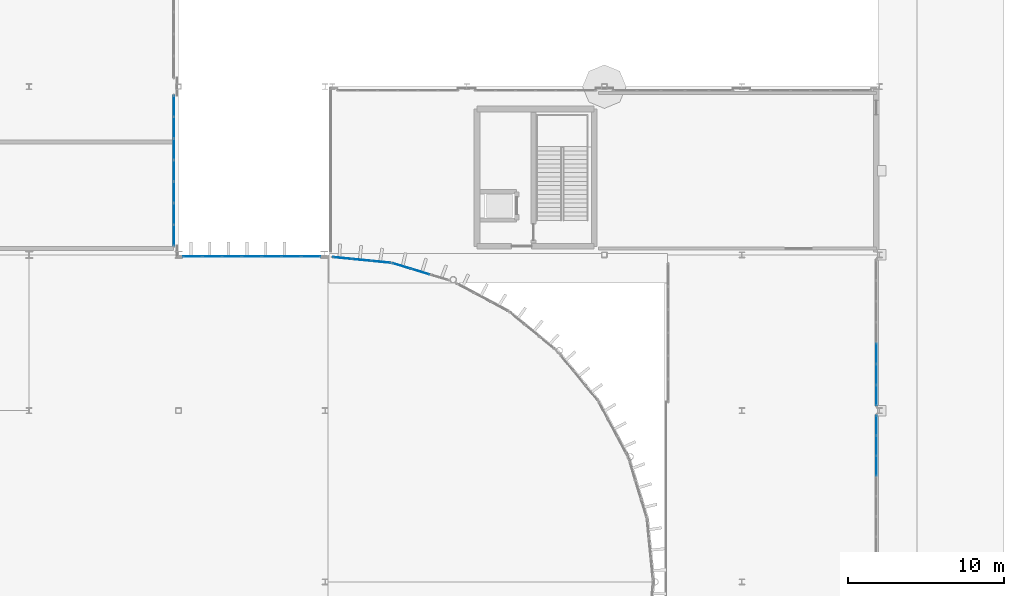
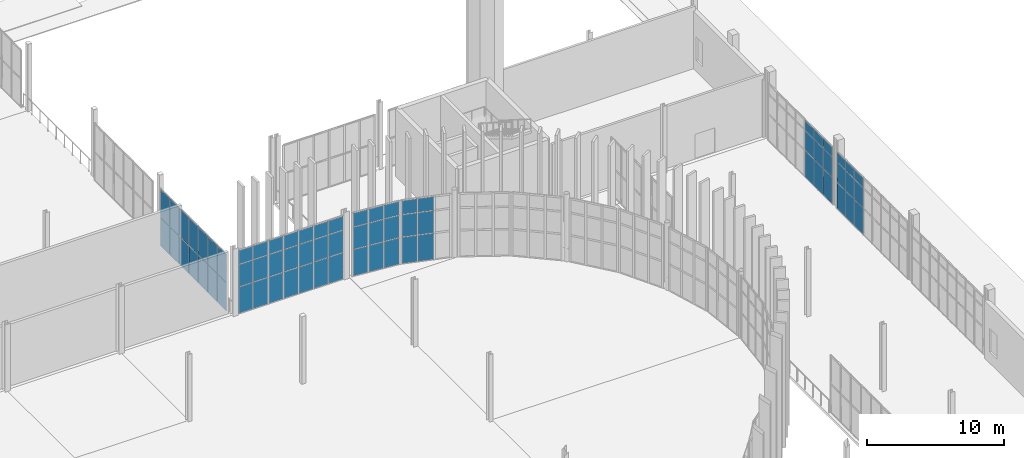
# One storey, part 85 of 139: 68 plates, 6 elements without a shape of their own.
"""IFC4 building model written with IfcOpenShell, lengths in metres."""

from ifc_helpers import new_model, si_unit, direction, frame, origin, origin_2d, place, context, subcontext, project, spatial, rectangle, extrude, material, layer, layer_set, type_object, element, aggregate, save


model = new_model("IFC4")

# Units and contexts
model_context = context("Model", 3, precision=1e-05, world=origin(), true_north=direction((0.0, 1.0)))
body_context = subcontext(model_context, "Body", "Model", "MODEL_VIEW")
ifc_project = project(units=[si_unit("LENGTHUNIT", "METRE"), si_unit("AREAUNIT", "SQUARE_METRE"), si_unit("VOLUMEUNIT", "CUBIC_METRE"), si_unit("PLANEANGLEUNIT", "RADIAN"), si_unit("MASSUNIT", "GRAM", prefix="KILO")], contexts=[model_context])

# Site, building, storey
site_placement = place(None, origin())
site = spatial("IfcSite", under=ifc_project, at=site_placement, CompositionType="ELEMENT")
building_placement = place(site_placement, origin())
building = spatial("IfcBuilding", under=site, at=building_placement, Name="Yeouljin Market Hall", CompositionType="ELEMENT")
storey_placement = place(building_placement, origin())
storey = spatial("IfcBuildingStorey", under=building, at=storey_placement, Name="L00", CompositionType="ELEMENT", Elevation=0.0)

# Curtain wall, plates
ifc_material_1 = material(Name="Thermally Broken Aluminium", Category="aluminium")
ifc_layer_1 = layer(ifc_material_1, 0.179931640625)
ifc_layer_set_1 = layer_set([ifc_layer_1], Name="Thermally Broken Aluminium")
curtain_wall_type_1 = type_object("IfcCurtainWallType", Name="CW_ApseCurved_System", PredefinedType="USERDEFINED", material=ifc_layer_set_1)
curtain_wall_1_placement = place(storey_placement, origin())
curtain_wall_1 = element("IfcCurtainWall", 1, at=curtain_wall_1_placement, inside=storey, type_object=curtain_wall_type_1, Name="Curtain wall CW-AP-EL00-15", ObjectType="CURTAIN WALL", PredefinedType="USERDEFINED")
ifc_material_2 = material(Name="Low-E Insulated Glass", Category="glass")
ifc_layer_2 = layer(ifc_material_2, 0.031982421875)
ifc_layer_set_2 = layer_set([ifc_layer_2], Name="Low-E Insulated Glass")
plate_type_1 = type_object("IfcPlateType", Name="CWPanel_AcousticGlass_32", PredefinedType="CURTAIN_PANEL", material=ifc_layer_set_2)
plate_1_placement = place(storey_placement, frame((145.72509765625, 77.28125, 0.0478515625), z_axis=(0.0, 0.0, 1.0), x_axis=(0.95693988447, -0.290286164863, 0.0)))
plate_1 = element("IfcPlate", 2, at=plate_1_placement, type_object=plate_type_1, Name="CW-03 panel 1.1", PredefinedType="CURTAIN_PANEL", context=body_context, shape_type="SweptSolid", body=[
    extrude(rectangle(XDim=1.185791015625, YDim=0.031982421875, at=origin_2d()), origin(), (0.0, 0.0, 1.0), 2.327880859375),
])
plate_2_placement = place(storey_placement, frame((145.72509765625, 77.28125, 2.423828125), z_axis=(0.0, 0.0, 1.0), x_axis=(0.95693988447, -0.290286164863, 0.0)))
plate_2 = element("IfcPlate", 3, at=plate_2_placement, type_object=plate_type_1, Name="CW-03 panel 1.2", PredefinedType="CURTAIN_PANEL", context=body_context, shape_type="SweptSolid", body=[
    extrude(rectangle(XDim=1.185791015625, YDim=0.031982421875, at=origin_2d()), origin(), (0.0, 0.0, 1.0), 1.951904296875),
])
plate_3_placement = place(storey_placement, frame((145.72509765625, 77.28125, 4.424072265625), z_axis=(0.0, 0.0, 1.0), x_axis=(0.95693988447, -0.290286164863, 0.0)))
plate_3 = element("IfcPlate", 4, at=plate_3_placement, type_object=plate_type_1, Name="CW-03 panel 1.3", PredefinedType="CURTAIN_PANEL", context=body_context, shape_type="SweptSolid", body=[
    extrude(rectangle(XDim=1.185791015625, YDim=0.031982421875, at=origin_2d()), origin(), (0.0, 0.0, 1.0), 1.2080078125),
])
plate_4_placement = place(storey_placement, frame((146.917236328125, 76.91943359375, 0.0478515625), z_axis=(0.0, 0.0, 1.0), x_axis=(0.95693988447, -0.290286164863, 0.0)))
plate_4 = element("IfcPlate", 5, at=plate_4_placement, type_object=plate_type_1, Name="CW-03 panel 2.1", PredefinedType="CURTAIN_PANEL", context=body_context, shape_type="SweptSolid", body=[
    extrude(rectangle(XDim=1.209716796875, YDim=0.031982421875, at=origin_2d()), origin(), (0.0, 0.0, 1.0), 2.327880859375),
])
plate_5_placement = place(storey_placement, frame((146.917236328125, 76.91943359375, 2.423828125), z_axis=(0.0, 0.0, 1.0), x_axis=(0.95693988447, -0.290286164863, 0.0)))
plate_5 = element("IfcPlate", 6, at=plate_5_placement, type_object=plate_type_1, Name="CW-03 panel 2.2", PredefinedType="CURTAIN_PANEL", context=body_context, shape_type="SweptSolid", body=[
    extrude(rectangle(XDim=1.209716796875, YDim=0.031982421875, at=origin_2d()), origin(), (0.0, 0.0, 1.0), 1.951904296875),
])
plate_6_placement = place(storey_placement, frame((146.917236328125, 76.91943359375, 4.424072265625), z_axis=(0.0, 0.0, 1.0), x_axis=(0.95693988447, -0.290286164863, 0.0)))
plate_6 = element("IfcPlate", 7, at=plate_6_placement, type_object=plate_type_1, Name="CW-03 panel 2.3", PredefinedType="CURTAIN_PANEL", context=body_context, shape_type="SweptSolid", body=[
    extrude(rectangle(XDim=1.209716796875, YDim=0.031982421875, at=origin_2d()), origin(), (0.0, 0.0, 1.0), 1.2080078125),
])
aggregate(curtain_wall_1, [plate_1, plate_2, plate_3, plate_4, plate_5, plate_6])

curtain_wall_2_placement = place(storey_placement, origin())
curtain_wall_2 = element("IfcCurtainWall", 8, at=curtain_wall_2_placement, inside=storey, type_object=curtain_wall_type_1, Name="Curtain wall CW-AP-EL00-16", ObjectType="CURTAIN WALL", PredefinedType="USERDEFINED")
plate_7_placement = place(storey_placement, frame((141.91650390625, 77.789794921875, 0.0478515625), z_axis=(0.0, 0.0, 1.0), x_axis=(0.995183051807, -0.09803414403, 0.0)))
plate_7 = element("IfcPlate", 9, at=plate_7_placement, type_object=plate_type_1, Name="CW-03 panel 1.1", PredefinedType="CURTAIN_PANEL", context=body_context, shape_type="SweptSolid", body=[
    extrude(rectangle(XDim=1.185791015625, YDim=0.031982421875, at=origin_2d()), origin(), (0.0, 0.0, 1.0), 2.327880859375),
])
plate_8_placement = place(storey_placement, frame((141.91650390625, 77.789794921875, 2.423828125), z_axis=(0.0, 0.0, 1.0), x_axis=(0.995183051807, -0.09803414403, 0.0)))
plate_8 = element("IfcPlate", 10, at=plate_8_placement, type_object=plate_type_1, Name="CW-03 panel 1.2", PredefinedType="CURTAIN_PANEL", context=body_context, shape_type="SweptSolid", body=[
    extrude(rectangle(XDim=1.185791015625, YDim=0.031982421875, at=origin_2d()), origin(), (0.0, 0.0, 1.0), 1.951904296875),
])
plate_9_placement = place(storey_placement, frame((141.91650390625, 77.789794921875, 4.424072265625), z_axis=(0.0, 0.0, 1.0), x_axis=(0.995183051807, -0.09803414403, 0.0)))
plate_9 = element("IfcPlate", 11, at=plate_9_placement, type_object=plate_type_1, Name="CW-03 panel 1.3", PredefinedType="CURTAIN_PANEL", context=body_context, shape_type="SweptSolid", body=[
    extrude(rectangle(XDim=1.185791015625, YDim=0.031982421875, at=origin_2d()), origin(), (0.0, 0.0, 1.0), 1.2080078125),
])
plate_10_placement = place(storey_placement, frame((143.15625, 77.667724609375, 0.0478515625), z_axis=(0.0, 0.0, 1.0), x_axis=(0.995183051807, -0.09803414403, 0.0)))
plate_10 = element("IfcPlate", 12, at=plate_10_placement, type_object=plate_type_1, Name="CW-03 panel 2.1", PredefinedType="CURTAIN_PANEL", context=body_context, shape_type="SweptSolid", body=[
    extrude(rectangle(XDim=1.209716796875, YDim=0.031982421875, at=origin_2d()), origin(), (0.0, 0.0, 1.0), 2.327880859375),
])
plate_11_placement = place(storey_placement, frame((143.15625, 77.667724609375, 2.423828125), z_axis=(0.0, 0.0, 1.0), x_axis=(0.995183051807, -0.09803414403, 0.0)))
plate_11 = element("IfcPlate", 13, at=plate_11_placement, type_object=plate_type_1, Name="CW-03 panel 2.2", PredefinedType="CURTAIN_PANEL", context=body_context, shape_type="SweptSolid", body=[
    extrude(rectangle(XDim=1.209716796875, YDim=0.031982421875, at=origin_2d()), origin(), (0.0, 0.0, 1.0), 1.951904296875),
])
plate_12_placement = place(storey_placement, frame((143.15625, 77.667724609375, 4.424072265625), z_axis=(0.0, 0.0, 1.0), x_axis=(0.995183051807, -0.09803414403, 0.0)))
plate_12 = element("IfcPlate", 14, at=plate_12_placement, type_object=plate_type_1, Name="CW-03 panel 2.3", PredefinedType="CURTAIN_PANEL", context=body_context, shape_type="SweptSolid", body=[
    extrude(rectangle(XDim=1.209716796875, YDim=0.031982421875, at=origin_2d()), origin(), (0.0, 0.0, 1.0), 1.2080078125),
])
plate_13_placement = place(storey_placement, frame((144.39599609375, 77.54541015625, 0.0478515625), z_axis=(0.0, 0.0, 1.0), x_axis=(0.995183051807, -0.09803414403, 0.0)))
plate_13 = element("IfcPlate", 15, at=plate_13_placement, type_object=plate_type_1, Name="CW-03 panel 3.1", PredefinedType="CURTAIN_PANEL", context=body_context, shape_type="SweptSolid", body=[
    extrude(rectangle(XDim=1.185791015625, YDim=0.031982421875, at=origin_2d()), origin(), (0.0, 0.0, 1.0), 2.327880859375),
])
plate_14_placement = place(storey_placement, frame((144.39599609375, 77.54541015625, 2.423828125), z_axis=(0.0, 0.0, 1.0), x_axis=(0.995183051807, -0.09803414403, 0.0)))
plate_14 = element("IfcPlate", 16, at=plate_14_placement, type_object=plate_type_1, Name="CW-03 panel 3.2", PredefinedType="CURTAIN_PANEL", context=body_context, shape_type="SweptSolid", body=[
    extrude(rectangle(XDim=1.185791015625, YDim=0.031982421875, at=origin_2d()), origin(), (0.0, 0.0, 1.0), 1.951904296875),
])
plate_15_placement = place(storey_placement, frame((144.39599609375, 77.54541015625, 4.424072265625), z_axis=(0.0, 0.0, 1.0), x_axis=(0.995183051807, -0.09803414403, 0.0)))
plate_15 = element("IfcPlate", 17, at=plate_15_placement, type_object=plate_type_1, Name="CW-03 panel 3.3", PredefinedType="CURTAIN_PANEL", context=body_context, shape_type="SweptSolid", body=[
    extrude(rectangle(XDim=1.185791015625, YDim=0.031982421875, at=origin_2d()), origin(), (0.0, 0.0, 1.0), 1.2080078125),
])
aggregate(curtain_wall_2, [plate_7, plate_8, plate_9, plate_10, plate_11, plate_12, plate_13, plate_14, plate_15])

ifc_material_3 = material(Name="Thermally Broken Aluminium", Category="aluminium")
ifc_layer_3 = layer(ifc_material_3, 0.179931640625)
ifc_layer_set_3 = layer_set([ifc_layer_3], Name="Thermally Broken Aluminium")
curtain_wall_type_2 = type_object("IfcCurtainWallType", Name="CW_HallNave_System", PredefinedType="USERDEFINED", material=ifc_layer_set_3)
curtain_wall_3_placement = place(storey_placement, origin())
curtain_wall_3 = element("IfcCurtainWall", 18, at=curtain_wall_3_placement, inside=storey, type_object=curtain_wall_type_2, Name="Curtain wall CW-V1N-L00-11", ObjectType="CURTAIN WALL", PredefinedType="USERDEFINED")
ifc_material_4 = material(Name="Low-E Insulated Glass", Category="glass")
ifc_layer_4 = layer(ifc_material_4, 0.028076171875)
ifc_layer_set_4 = layer_set([ifc_layer_4], Name="Low-E Insulated Glass")
plate_type_2 = type_object("IfcPlateType", Name="CWPanel_LowE_28", PredefinedType="CURTAIN_PANEL", material=ifc_layer_set_4)
plate_16_placement = place(storey_placement, frame((132.297607421875, 77.89990234375, 0.0478515625), z_axis=(0.0, 0.0, 1.0), x_axis=(1.0, 0.0, 0.0)))
plate_16 = element("IfcPlate", 19, at=plate_16_placement, type_object=plate_type_2, Name="CW-01 panel 1.1", PredefinedType="CURTAIN_PANEL", context=body_context, shape_type="SweptSolid", body=[
    extrude(rectangle(XDim=1.199462890625, YDim=0.028076171875, at=origin_2d()), origin(), (0.0, 0.0, 1.0), 2.327880859375),
])
plate_17_placement = place(storey_placement, frame((132.297607421875, 77.89990234375, 2.423828125), z_axis=(0.0, 0.0, 1.0), x_axis=(1.0, 0.0, 0.0)))
plate_17 = element("IfcPlate", 20, at=plate_17_placement, type_object=plate_type_2, Name="CW-01 panel 1.2", PredefinedType="CURTAIN_PANEL", context=body_context, shape_type="SweptSolid", body=[
    extrude(rectangle(XDim=1.199462890625, YDim=0.028076171875, at=origin_2d()), origin(), (0.0, 0.0, 1.0), 1.951904296875),
])
plate_18_placement = place(storey_placement, frame((132.297607421875, 77.89990234375, 4.424072265625), z_axis=(0.0, 0.0, 1.0), x_axis=(1.0, 0.0, 0.0)))
plate_18 = element("IfcPlate", 21, at=plate_18_placement, type_object=plate_type_2, Name="CW-01 panel 1.3", PredefinedType="CURTAIN_PANEL", context=body_context, shape_type="SweptSolid", body=[
    extrude(rectangle(XDim=1.199462890625, YDim=0.028076171875, at=origin_2d()), origin(), (0.0, 0.0, 1.0), 1.2080078125),
])
plate_19_placement = place(storey_placement, frame((133.55712890625, 77.89990234375, 0.0478515625), z_axis=(0.0, 0.0, 1.0), x_axis=(1.0, 0.0, 0.0)))
plate_19 = element("IfcPlate", 22, at=plate_19_placement, type_object=plate_type_2, Name="CW-01 panel 2.1", PredefinedType="CURTAIN_PANEL", context=body_context, shape_type="SweptSolid", body=[
    extrude(rectangle(XDim=1.223388671875, YDim=0.028076171875, at=origin_2d()), origin(), (0.0, 0.0, 1.0), 2.327880859375),
])
plate_20_placement = place(storey_placement, frame((133.55712890625, 77.89990234375, 2.423828125), z_axis=(0.0, 0.0, 1.0), x_axis=(1.0, 0.0, 0.0)))
plate_20 = element("IfcPlate", 23, at=plate_20_placement, type_object=plate_type_2, Name="CW-01 panel 2.2", PredefinedType="CURTAIN_PANEL", context=body_context, shape_type="SweptSolid", body=[
    extrude(rectangle(XDim=1.223388671875, YDim=0.028076171875, at=origin_2d()), origin(), (0.0, 0.0, 1.0), 1.951904296875),
])
plate_21_placement = place(storey_placement, frame((133.55712890625, 77.89990234375, 4.424072265625), z_axis=(0.0, 0.0, 1.0), x_axis=(1.0, 0.0, 0.0)))
plate_21 = element("IfcPlate", 24, at=plate_21_placement, type_object=plate_type_2, Name="CW-01 panel 2.3", PredefinedType="CURTAIN_PANEL", context=body_context, shape_type="SweptSolid", body=[
    extrude(rectangle(XDim=1.223388671875, YDim=0.028076171875, at=origin_2d()), origin(), (0.0, 0.0, 1.0), 1.2080078125),
])
plate_22_placement = place(storey_placement, frame((134.82861328125, 77.89990234375, 0.0478515625), z_axis=(0.0, 0.0, 1.0), x_axis=(1.0, 0.0, 0.0)))
plate_22 = element("IfcPlate", 25, at=plate_22_placement, type_object=plate_type_2, Name="CW-01 panel 3.1", PredefinedType="CURTAIN_PANEL", context=body_context, shape_type="SweptSolid", body=[
    extrude(rectangle(XDim=1.223388671875, YDim=0.028076171875, at=origin_2d()), origin(), (0.0, 0.0, 1.0), 2.327880859375),
])
plate_23_placement = place(storey_placement, frame((134.82861328125, 77.89990234375, 2.423828125), z_axis=(0.0, 0.0, 1.0), x_axis=(1.0, 0.0, 0.0)))
plate_23 = element("IfcPlate", 26, at=plate_23_placement, type_object=plate_type_2, Name="CW-01 panel 3.2", PredefinedType="CURTAIN_PANEL", context=body_context, shape_type="SweptSolid", body=[
    extrude(rectangle(XDim=1.223388671875, YDim=0.028076171875, at=origin_2d()), origin(), (0.0, 0.0, 1.0), 1.951904296875),
])
plate_24_placement = place(storey_placement, frame((134.82861328125, 77.89990234375, 4.424072265625), z_axis=(0.0, 0.0, 1.0), x_axis=(1.0, 0.0, 0.0)))
plate_24 = element("IfcPlate", 27, at=plate_24_placement, type_object=plate_type_2, Name="CW-01 panel 3.3", PredefinedType="CURTAIN_PANEL", context=body_context, shape_type="SweptSolid", body=[
    extrude(rectangle(XDim=1.223388671875, YDim=0.028076171875, at=origin_2d()), origin(), (0.0, 0.0, 1.0), 1.2080078125),
])
plate_25_placement = place(storey_placement, frame((136.10009765625, 77.89990234375, 0.0478515625), z_axis=(0.0, 0.0, 1.0), x_axis=(1.0, 0.0, 0.0)))
plate_25 = element("IfcPlate", 28, at=plate_25_placement, type_object=plate_type_2, Name="CW-01 panel 4.1", PredefinedType="CURTAIN_PANEL", context=body_context, shape_type="SweptSolid", body=[
    extrude(rectangle(XDim=1.223388671875, YDim=0.028076171875, at=origin_2d()), origin(), (0.0, 0.0, 1.0), 2.327880859375),
])
plate_26_placement = place(storey_placement, frame((136.10009765625, 77.89990234375, 2.423828125), z_axis=(0.0, 0.0, 1.0), x_axis=(1.0, 0.0, 0.0)))
plate_26 = element("IfcPlate", 29, at=plate_26_placement, type_object=plate_type_2, Name="CW-01 panel 4.2", PredefinedType="CURTAIN_PANEL", context=body_context, shape_type="SweptSolid", body=[
    extrude(rectangle(XDim=1.223388671875, YDim=0.028076171875, at=origin_2d()), origin(), (0.0, 0.0, 1.0), 1.951904296875),
])
plate_27_placement = place(storey_placement, frame((136.10009765625, 77.89990234375, 4.424072265625), z_axis=(0.0, 0.0, 1.0), x_axis=(1.0, 0.0, 0.0)))
plate_27 = element("IfcPlate", 30, at=plate_27_placement, type_object=plate_type_2, Name="CW-01 panel 4.3", PredefinedType="CURTAIN_PANEL", context=body_context, shape_type="SweptSolid", body=[
    extrude(rectangle(XDim=1.223388671875, YDim=0.028076171875, at=origin_2d()), origin(), (0.0, 0.0, 1.0), 1.2080078125),
])
plate_28_placement = place(storey_placement, frame((137.371337890625, 77.89990234375, 0.0478515625), z_axis=(0.0, 0.0, 1.0), x_axis=(1.0, 0.0, 0.0)))
plate_28 = element("IfcPlate", 31, at=plate_28_placement, type_object=plate_type_2, Name="CW-01 panel 5.1", PredefinedType="CURTAIN_PANEL", context=body_context, shape_type="SweptSolid", body=[
    extrude(rectangle(XDim=1.223388671875, YDim=0.028076171875, at=origin_2d()), origin(), (0.0, 0.0, 1.0), 2.327880859375),
])
plate_29_placement = place(storey_placement, frame((137.371337890625, 77.89990234375, 2.423828125), z_axis=(0.0, 0.0, 1.0), x_axis=(1.0, 0.0, 0.0)))
plate_29 = element("IfcPlate", 32, at=plate_29_placement, type_object=plate_type_2, Name="CW-01 panel 5.2", PredefinedType="CURTAIN_PANEL", context=body_context, shape_type="SweptSolid", body=[
    extrude(rectangle(XDim=1.223388671875, YDim=0.028076171875, at=origin_2d()), origin(), (0.0, 0.0, 1.0), 1.951904296875),
])
plate_30_placement = place(storey_placement, frame((137.371337890625, 77.89990234375, 4.424072265625), z_axis=(0.0, 0.0, 1.0), x_axis=(1.0, 0.0, 0.0)))
plate_30 = element("IfcPlate", 33, at=plate_30_placement, type_object=plate_type_2, Name="CW-01 panel 5.3", PredefinedType="CURTAIN_PANEL", context=body_context, shape_type="SweptSolid", body=[
    extrude(rectangle(XDim=1.223388671875, YDim=0.028076171875, at=origin_2d()), origin(), (0.0, 0.0, 1.0), 1.2080078125),
])
plate_31_placement = place(storey_placement, frame((138.642822265625, 77.89990234375, 0.0478515625), z_axis=(0.0, 0.0, 1.0), x_axis=(1.0, 0.0, 0.0)))
plate_31 = element("IfcPlate", 34, at=plate_31_placement, type_object=plate_type_2, Name="CW-01 panel 6.1", PredefinedType="CURTAIN_PANEL", context=body_context, shape_type="SweptSolid", body=[
    extrude(rectangle(XDim=1.223388671875, YDim=0.028076171875, at=origin_2d()), origin(), (0.0, 0.0, 1.0), 2.327880859375),
])
plate_32_placement = place(storey_placement, frame((138.642822265625, 77.89990234375, 2.423828125), z_axis=(0.0, 0.0, 1.0), x_axis=(1.0, 0.0, 0.0)))
plate_32 = element("IfcPlate", 35, at=plate_32_placement, type_object=plate_type_2, Name="CW-01 panel 6.2", PredefinedType="CURTAIN_PANEL", context=body_context, shape_type="SweptSolid", body=[
    extrude(rectangle(XDim=1.223388671875, YDim=0.028076171875, at=origin_2d()), origin(), (0.0, 0.0, 1.0), 1.951904296875),
])
plate_33_placement = place(storey_placement, frame((138.642822265625, 77.89990234375, 4.424072265625), z_axis=(0.0, 0.0, 1.0), x_axis=(1.0, 0.0, 0.0)))
plate_33 = element("IfcPlate", 36, at=plate_33_placement, type_object=plate_type_2, Name="CW-01 panel 6.3", PredefinedType="CURTAIN_PANEL", context=body_context, shape_type="SweptSolid", body=[
    extrude(rectangle(XDim=1.223388671875, YDim=0.028076171875, at=origin_2d()), origin(), (0.0, 0.0, 1.0), 1.2080078125),
])
plate_34_placement = place(storey_placement, frame((139.90234375, 77.89990234375, 0.0478515625), z_axis=(0.0, 0.0, 1.0), x_axis=(1.0, 0.0, 0.0)))
plate_34 = element("IfcPlate", 37, at=plate_34_placement, type_object=plate_type_2, Name="CW-01 panel 7.1", PredefinedType="CURTAIN_PANEL", context=body_context, shape_type="SweptSolid", body=[
    extrude(rectangle(XDim=1.199462890625, YDim=0.028076171875, at=origin_2d()), origin(), (0.0, 0.0, 1.0), 2.327880859375),
])
plate_35_placement = place(storey_placement, frame((139.90234375, 77.89990234375, 2.423828125), z_axis=(0.0, 0.0, 1.0), x_axis=(1.0, 0.0, 0.0)))
plate_35 = element("IfcPlate", 38, at=plate_35_placement, type_object=plate_type_2, Name="CW-01 panel 7.2", PredefinedType="CURTAIN_PANEL", context=body_context, shape_type="SweptSolid", body=[
    extrude(rectangle(XDim=1.199462890625, YDim=0.028076171875, at=origin_2d()), origin(), (0.0, 0.0, 1.0), 1.951904296875),
])
plate_36_placement = place(storey_placement, frame((139.90234375, 77.89990234375, 4.424072265625), z_axis=(0.0, 0.0, 1.0), x_axis=(1.0, 0.0, 0.0)))
plate_36 = element("IfcPlate", 39, at=plate_36_placement, type_object=plate_type_2, Name="CW-01 panel 7.3", PredefinedType="CURTAIN_PANEL", context=body_context, shape_type="SweptSolid", body=[
    extrude(rectangle(XDim=1.199462890625, YDim=0.028076171875, at=origin_2d()), origin(), (0.0, 0.0, 1.0), 1.2080078125),
])
aggregate(curtain_wall_3, [plate_16, plate_17, plate_18, plate_19, plate_20, plate_21, plate_22, plate_23, plate_24, plate_25, plate_26, plate_27, plate_28, plate_29, plate_30, plate_31, plate_32, plate_33, plate_34, plate_35, plate_36])

ifc_material_5 = material(Name="Thermally Broken Aluminium", Category="aluminium")
ifc_layer_5 = layer(ifc_material_5, 0.14990234375)
ifc_layer_set_5 = layer_set([ifc_layer_5], Name="Thermally Broken Aluminium")
curtain_wall_type_3 = type_object("IfcCurtainWallType", Name="CW_WingStorefront_System", PredefinedType="USERDEFINED", material=ifc_layer_set_5)
curtain_wall_4_placement = place(storey_placement, origin())
curtain_wall_4 = element("IfcCurtainWall", 40, at=curtain_wall_4_placement, inside=storey, type_object=curtain_wall_type_3, Name="Curtain wall CW-V3E-L00-2", ObjectType="CURTAIN WALL", PredefinedType="USERDEFINED")
plate_37_placement = place(storey_placement, frame((176.199951171875, 71.6572265625, 0.0478515625), z_axis=(0.0, 0.0, 1.0), x_axis=(0.0, -1.0, 0.0)))
plate_37 = element("IfcPlate", 41, at=plate_37_placement, type_object=plate_type_2, Name="CW-04 panel 5.1", PredefinedType="CURTAIN_PANEL", context=body_context, shape_type="SweptSolid", body=[
    extrude(rectangle(XDim=1.294921875, YDim=0.028076171875, at=origin_2d()), origin(), (0.0, 0.0, 1.0), 2.327880859375),
])
plate_38_placement = place(storey_placement, frame((176.199951171875, 71.6572265625, 2.424072265625), z_axis=(0.0, 0.0, 1.0), x_axis=(0.0, -1.0, 0.0)))
plate_38 = element("IfcPlate", 42, at=plate_38_placement, type_object=plate_type_2, Name="CW-04 panel 5.2", PredefinedType="CURTAIN_PANEL", context=body_context, shape_type="SweptSolid", body=[
    extrude(rectangle(XDim=1.294921875, YDim=0.028076171875, at=origin_2d()), origin(), (0.0, 0.0, 1.0), 1.751953125),
])
plate_39_placement = place(storey_placement, frame((176.199951171875, 71.6572265625, 4.22412109375), z_axis=(0.0, 0.0, 1.0), x_axis=(0.0, -1.0, 0.0)))
plate_39 = element("IfcPlate", 43, at=plate_39_placement, type_object=plate_type_2, Name="CW-04 panel 5.3", PredefinedType="CURTAIN_PANEL", context=body_context, shape_type="SweptSolid", body=[
    extrude(rectangle(XDim=1.294921875, YDim=0.028076171875, at=origin_2d()), origin(), (0.0, 0.0, 1.0), 0.847900390625),
])
plate_40_placement = place(storey_placement, frame((176.199951171875, 70.314208984375, 0.0478515625), z_axis=(0.0, 0.0, 1.0), x_axis=(0.0, -1.0, 0.0)))
plate_40 = element("IfcPlate", 44, at=plate_40_placement, type_object=plate_type_2, Name="CW-04 panel 6.1", PredefinedType="CURTAIN_PANEL", context=body_context, shape_type="SweptSolid", body=[
    extrude(rectangle(XDim=1.294921875, YDim=0.028076171875, at=origin_2d()), origin(), (0.0, 0.0, 1.0), 2.327880859375),
])
plate_41_placement = place(storey_placement, frame((176.199951171875, 70.314208984375, 2.424072265625), z_axis=(0.0, 0.0, 1.0), x_axis=(0.0, -1.0, 0.0)))
plate_41 = element("IfcPlate", 45, at=plate_41_placement, type_object=plate_type_2, Name="CW-04 panel 6.2", PredefinedType="CURTAIN_PANEL", context=body_context, shape_type="SweptSolid", body=[
    extrude(rectangle(XDim=1.294921875, YDim=0.028076171875, at=origin_2d()), origin(), (0.0, 0.0, 1.0), 1.751953125),
])
plate_42_placement = place(storey_placement, frame((176.199951171875, 70.314208984375, 4.22412109375), z_axis=(0.0, 0.0, 1.0), x_axis=(0.0, -1.0, 0.0)))
plate_42 = element("IfcPlate", 46, at=plate_42_placement, type_object=plate_type_2, Name="CW-04 panel 6.3", PredefinedType="CURTAIN_PANEL", context=body_context, shape_type="SweptSolid", body=[
    extrude(rectangle(XDim=1.294921875, YDim=0.028076171875, at=origin_2d()), origin(), (0.0, 0.0, 1.0), 0.847900390625),
])
plate_43_placement = place(storey_placement, frame((176.199951171875, 68.9833984375, 0.0478515625), z_axis=(0.0, 0.0, 1.0), x_axis=(0.0, -1.0, 0.0)))
plate_43 = element("IfcPlate", 47, at=plate_43_placement, type_object=plate_type_2, Name="CW-04 panel 7.1", PredefinedType="CURTAIN_PANEL", context=body_context, shape_type="SweptSolid", body=[
    extrude(rectangle(XDim=1.270751953125, YDim=0.028076171875, at=origin_2d()), origin(), (0.0, 0.0, 1.0), 2.327880859375),
])
plate_44_placement = place(storey_placement, frame((176.199951171875, 68.9833984375, 2.424072265625), z_axis=(0.0, 0.0, 1.0), x_axis=(0.0, -1.0, 0.0)))
plate_44 = element("IfcPlate", 48, at=plate_44_placement, type_object=plate_type_2, Name="CW-04 panel 7.2", PredefinedType="CURTAIN_PANEL", context=body_context, shape_type="SweptSolid", body=[
    extrude(rectangle(XDim=1.270751953125, YDim=0.028076171875, at=origin_2d()), origin(), (0.0, 0.0, 1.0), 1.751953125),
])
plate_45_placement = place(storey_placement, frame((176.199951171875, 68.9833984375, 4.22412109375), z_axis=(0.0, 0.0, 1.0), x_axis=(0.0, -1.0, 0.0)))
plate_45 = element("IfcPlate", 49, at=plate_45_placement, type_object=plate_type_2, Name="CW-04 panel 7.3", PredefinedType="CURTAIN_PANEL", context=body_context, shape_type="SweptSolid", body=[
    extrude(rectangle(XDim=1.270751953125, YDim=0.028076171875, at=origin_2d()), origin(), (0.0, 0.0, 1.0), 0.847900390625),
])
aggregate(curtain_wall_4, [plate_37, plate_38, plate_39, plate_40, plate_41, plate_42, plate_43, plate_44, plate_45])

curtain_wall_5_placement = place(storey_placement, origin())
curtain_wall_5 = element("IfcCurtainWall", 50, at=curtain_wall_5_placement, inside=storey, type_object=curtain_wall_type_3, Name="Curtain wall CW-V3E-L00-3", ObjectType="CURTAIN WALL", PredefinedType="USERDEFINED")
plate_46_placement = place(storey_placement, frame((176.199951171875, 67.0380859375, 0.0478515625), z_axis=(0.0, 0.0, 1.0), x_axis=(0.0, -1.0, 0.0)))
plate_46 = element("IfcPlate", 51, at=plate_46_placement, type_object=plate_type_2, Name="CW-04 panel 1.1", PredefinedType="CURTAIN_PANEL", context=body_context, shape_type="SweptSolid", body=[
    extrude(rectangle(XDim=1.22802734375, YDim=0.028076171875, at=origin_2d()), origin(), (0.0, 0.0, 1.0), 2.327880859375),
])
plate_47_placement = place(storey_placement, frame((176.199951171875, 67.0380859375, 2.424072265625), z_axis=(0.0, 0.0, 1.0), x_axis=(0.0, -1.0, 0.0)))
plate_47 = element("IfcPlate", 52, at=plate_47_placement, type_object=plate_type_2, Name="CW-04 panel 1.2", PredefinedType="CURTAIN_PANEL", context=body_context, shape_type="SweptSolid", body=[
    extrude(rectangle(XDim=1.22802734375, YDim=0.028076171875, at=origin_2d()), origin(), (0.0, 0.0, 1.0), 1.751953125),
])
plate_48_placement = place(storey_placement, frame((176.199951171875, 67.0380859375, 4.22412109375), z_axis=(0.0, 0.0, 1.0), x_axis=(0.0, -1.0, 0.0)))
plate_48 = element("IfcPlate", 53, at=plate_48_placement, type_object=plate_type_2, Name="CW-04 panel 1.3", PredefinedType="CURTAIN_PANEL", context=body_context, shape_type="SweptSolid", body=[
    extrude(rectangle(XDim=1.22802734375, YDim=0.028076171875, at=origin_2d()), origin(), (0.0, 0.0, 1.0), 0.847900390625),
])
plate_49_placement = place(storey_placement, frame((176.199951171875, 65.75, 0.0478515625), z_axis=(0.0, 0.0, 1.0), x_axis=(0.0, -1.0, 0.0)))
plate_49 = element("IfcPlate", 54, at=plate_49_placement, type_object=plate_type_2, Name="CW-04 panel 2.1", PredefinedType="CURTAIN_PANEL", context=body_context, shape_type="SweptSolid", body=[
    extrude(rectangle(XDim=1.251953125, YDim=0.028076171875, at=origin_2d()), origin(), (0.0, 0.0, 1.0), 2.327880859375),
])
plate_50_placement = place(storey_placement, frame((176.199951171875, 65.75, 2.424072265625), z_axis=(0.0, 0.0, 1.0), x_axis=(0.0, -1.0, 0.0)))
plate_50 = element("IfcPlate", 55, at=plate_50_placement, type_object=plate_type_2, Name="CW-04 panel 2.2", PredefinedType="CURTAIN_PANEL", context=body_context, shape_type="SweptSolid", body=[
    extrude(rectangle(XDim=1.251953125, YDim=0.028076171875, at=origin_2d()), origin(), (0.0, 0.0, 1.0), 1.751953125),
])
plate_51_placement = place(storey_placement, frame((176.199951171875, 65.75, 4.22412109375), z_axis=(0.0, 0.0, 1.0), x_axis=(0.0, -1.0, 0.0)))
plate_51 = element("IfcPlate", 56, at=plate_51_placement, type_object=plate_type_2, Name="CW-04 panel 2.3", PredefinedType="CURTAIN_PANEL", context=body_context, shape_type="SweptSolid", body=[
    extrude(rectangle(XDim=1.251953125, YDim=0.028076171875, at=origin_2d()), origin(), (0.0, 0.0, 1.0), 0.847900390625),
])
plate_52_placement = place(storey_placement, frame((176.199951171875, 64.449951171875, 0.0478515625), z_axis=(0.0, 0.0, 1.0), x_axis=(0.0, -1.0, 0.0)))
plate_52 = element("IfcPlate", 57, at=plate_52_placement, type_object=plate_type_2, Name="CW-04 panel 3.1", PredefinedType="CURTAIN_PANEL", context=body_context, shape_type="SweptSolid", body=[
    extrude(rectangle(XDim=1.251953125, YDim=0.028076171875, at=origin_2d()), origin(), (0.0, 0.0, 1.0), 2.327880859375),
])
plate_53_placement = place(storey_placement, frame((176.199951171875, 64.449951171875, 2.424072265625), z_axis=(0.0, 0.0, 1.0), x_axis=(0.0, -1.0, 0.0)))
plate_53 = element("IfcPlate", 58, at=plate_53_placement, type_object=plate_type_2, Name="CW-04 panel 3.2", PredefinedType="CURTAIN_PANEL", context=body_context, shape_type="SweptSolid", body=[
    extrude(rectangle(XDim=1.251953125, YDim=0.028076171875, at=origin_2d()), origin(), (0.0, 0.0, 1.0), 1.751953125),
])
plate_54_placement = place(storey_placement, frame((176.199951171875, 64.449951171875, 4.22412109375), z_axis=(0.0, 0.0, 1.0), x_axis=(0.0, -1.0, 0.0)))
plate_54 = element("IfcPlate", 59, at=plate_54_placement, type_object=plate_type_2, Name="CW-04 panel 3.3", PredefinedType="CURTAIN_PANEL", context=body_context, shape_type="SweptSolid", body=[
    extrude(rectangle(XDim=1.251953125, YDim=0.028076171875, at=origin_2d()), origin(), (0.0, 0.0, 1.0), 0.847900390625),
])
aggregate(curtain_wall_5, [plate_46, plate_47, plate_48, plate_49, plate_50, plate_51, plate_52, plate_53, plate_54])

curtain_wall_6_placement = place(storey_placement, origin())
curtain_wall_6 = element("IfcCurtainWall", 60, at=curtain_wall_6_placement, inside=storey, type_object=curtain_wall_type_3, Name="Curtain wall CW-CRT-L00-20", ObjectType="CURTAIN WALL", PredefinedType="USERDEFINED")
plate_55_placement = place(storey_placement, frame((131.10009765625, 87.545166015625, 0.0478515625), z_axis=(0.0, 0.0, 1.0), x_axis=(0.0, -1.0, 0.0)))
plate_55 = element("IfcPlate", 61, at=plate_55_placement, type_object=plate_type_2, Name="CW-04 panel 1.1", PredefinedType="CURTAIN_PANEL", context=body_context, shape_type="SweptSolid", body=[
    extrude(rectangle(XDim=1.313720703125, YDim=0.028076171875, at=origin_2d()), origin(), (0.0, 0.0, 1.0), 2.488037109375),
])
plate_56_placement = place(storey_placement, frame((131.10009765625, 87.545166015625, 2.583984375), z_axis=(0.0, 0.0, 1.0), x_axis=(0.0, -1.0, 0.0)))
plate_56 = element("IfcPlate", 62, at=plate_56_placement, type_object=plate_type_2, Name="CW-04 panel 1.2", PredefinedType="CURTAIN_PANEL", context=body_context, shape_type="SweptSolid", body=[
    extrude(rectangle(XDim=1.313720703125, YDim=0.028076171875, at=origin_2d()), origin(), (0.0, 0.0, 1.0), 2.488037109375),
])
plate_57_placement = place(storey_placement, frame((131.10009765625, 86.17138671875, 0.0478515625), z_axis=(0.0, 0.0, 1.0), x_axis=(0.0, -1.0, 0.0)))
plate_57 = element("IfcPlate", 63, at=plate_57_placement, type_object=plate_type_2, Name="CW-04 panel 2.1", PredefinedType="CURTAIN_PANEL", context=body_context, shape_type="SweptSolid", body=[
    extrude(rectangle(XDim=1.337646484375, YDim=0.028076171875, at=origin_2d()), origin(), (0.0, 0.0, 1.0), 2.488037109375),
])
plate_58_placement = place(storey_placement, frame((131.10009765625, 86.17138671875, 2.583984375), z_axis=(0.0, 0.0, 1.0), x_axis=(0.0, -1.0, 0.0)))
plate_58 = element("IfcPlate", 64, at=plate_58_placement, type_object=plate_type_2, Name="CW-04 panel 2.2", PredefinedType="CURTAIN_PANEL", context=body_context, shape_type="SweptSolid", body=[
    extrude(rectangle(XDim=1.337646484375, YDim=0.028076171875, at=origin_2d()), origin(), (0.0, 0.0, 1.0), 2.488037109375),
])
plate_59_placement = place(storey_placement, frame((131.10009765625, 84.78564453125, 0.0478515625), z_axis=(0.0, 0.0, 1.0), x_axis=(0.0, -1.0, 0.0)))
plate_59 = element("IfcPlate", 65, at=plate_59_placement, type_object=plate_type_2, Name="CW-04 panel 3.1", PredefinedType="CURTAIN_PANEL", context=body_context, shape_type="SweptSolid", body=[
    extrude(rectangle(XDim=1.337646484375, YDim=0.028076171875, at=origin_2d()), origin(), (0.0, 0.0, 1.0), 2.488037109375),
])
plate_60_placement = place(storey_placement, frame((131.10009765625, 84.78564453125, 2.583984375), z_axis=(0.0, 0.0, 1.0), x_axis=(0.0, -1.0, 0.0)))
plate_60 = element("IfcPlate", 66, at=plate_60_placement, type_object=plate_type_2, Name="CW-04 panel 3.2", PredefinedType="CURTAIN_PANEL", context=body_context, shape_type="SweptSolid", body=[
    extrude(rectangle(XDim=1.337646484375, YDim=0.028076171875, at=origin_2d()), origin(), (0.0, 0.0, 1.0), 2.488037109375),
])
plate_61_placement = place(storey_placement, frame((131.10009765625, 83.39990234375, 0.0478515625), z_axis=(0.0, 0.0, 1.0), x_axis=(0.0, -1.0, 0.0)))
plate_61 = element("IfcPlate", 67, at=plate_61_placement, type_object=plate_type_2, Name="CW-04 panel 4.1", PredefinedType="CURTAIN_PANEL", context=body_context, shape_type="SweptSolid", body=[
    extrude(rectangle(XDim=1.337646484375, YDim=0.028076171875, at=origin_2d()), origin(), (0.0, 0.0, 1.0), 2.488037109375),
])
plate_62_placement = place(storey_placement, frame((131.10009765625, 83.39990234375, 2.583984375), z_axis=(0.0, 0.0, 1.0), x_axis=(0.0, -1.0, 0.0)))
plate_62 = element("IfcPlate", 68, at=plate_62_placement, type_object=plate_type_2, Name="CW-04 panel 4.2", PredefinedType="CURTAIN_PANEL", context=body_context, shape_type="SweptSolid", body=[
    extrude(rectangle(XDim=1.337646484375, YDim=0.028076171875, at=origin_2d()), origin(), (0.0, 0.0, 1.0), 2.488037109375),
])
plate_63_placement = place(storey_placement, frame((131.10009765625, 82.014404296875, 0.0478515625), z_axis=(0.0, 0.0, 1.0), x_axis=(0.0, -1.0, 0.0)))
plate_63 = element("IfcPlate", 69, at=plate_63_placement, type_object=plate_type_2, Name="CW-04 panel 5.1", PredefinedType="CURTAIN_PANEL", context=body_context, shape_type="SweptSolid", body=[
    extrude(rectangle(XDim=1.337646484375, YDim=0.028076171875, at=origin_2d()), origin(), (0.0, 0.0, 1.0), 2.488037109375),
])
plate_64_placement = place(storey_placement, frame((131.10009765625, 82.014404296875, 2.583984375), z_axis=(0.0, 0.0, 1.0), x_axis=(0.0, -1.0, 0.0)))
plate_64 = element("IfcPlate", 70, at=plate_64_placement, type_object=plate_type_2, Name="CW-04 panel 5.2", PredefinedType="CURTAIN_PANEL", context=body_context, shape_type="SweptSolid", body=[
    extrude(rectangle(XDim=1.337646484375, YDim=0.028076171875, at=origin_2d()), origin(), (0.0, 0.0, 1.0), 2.488037109375),
])
plate_65_placement = place(storey_placement, frame((131.10009765625, 80.628662109375, 0.0478515625), z_axis=(0.0, 0.0, 1.0), x_axis=(0.0, -1.0, 0.0)))
plate_65 = element("IfcPlate", 71, at=plate_65_placement, type_object=plate_type_2, Name="CW-04 panel 6.1", PredefinedType="CURTAIN_PANEL", context=body_context, shape_type="SweptSolid", body=[
    extrude(rectangle(XDim=1.337646484375, YDim=0.028076171875, at=origin_2d()), origin(), (0.0, 0.0, 1.0), 2.488037109375),
])
plate_66_placement = place(storey_placement, frame((131.10009765625, 80.628662109375, 2.583984375), z_axis=(0.0, 0.0, 1.0), x_axis=(0.0, -1.0, 0.0)))
plate_66 = element("IfcPlate", 72, at=plate_66_placement, type_object=plate_type_2, Name="CW-04 panel 6.2", PredefinedType="CURTAIN_PANEL", context=body_context, shape_type="SweptSolid", body=[
    extrude(rectangle(XDim=1.337646484375, YDim=0.028076171875, at=origin_2d()), origin(), (0.0, 0.0, 1.0), 2.488037109375),
])
plate_67_placement = place(storey_placement, frame((131.10009765625, 79.2548828125, 0.0478515625), z_axis=(0.0, 0.0, 1.0), x_axis=(0.0, -1.0, 0.0)))
plate_67 = element("IfcPlate", 73, at=plate_67_placement, type_object=plate_type_2, Name="CW-04 panel 7.1", PredefinedType="CURTAIN_PANEL", context=body_context, shape_type="SweptSolid", body=[
    extrude(rectangle(XDim=1.313720703125, YDim=0.028076171875, at=origin_2d()), origin(), (0.0, 0.0, 1.0), 2.488037109375),
])
plate_68_placement = place(storey_placement, frame((131.10009765625, 79.2548828125, 2.583984375), z_axis=(0.0, 0.0, 1.0), x_axis=(0.0, -1.0, 0.0)))
plate_68 = element("IfcPlate", 74, at=plate_68_placement, type_object=plate_type_2, Name="CW-04 panel 7.2", PredefinedType="CURTAIN_PANEL", context=body_context, shape_type="SweptSolid", body=[
    extrude(rectangle(XDim=1.313720703125, YDim=0.028076171875, at=origin_2d()), origin(), (0.0, 0.0, 1.0), 2.488037109375),
])
aggregate(curtain_wall_6, [plate_55, plate_56, plate_57, plate_58, plate_59, plate_60, plate_61, plate_62, plate_63, plate_64, plate_65, plate_66, plate_67, plate_68])

save(model, "model.ifc")
